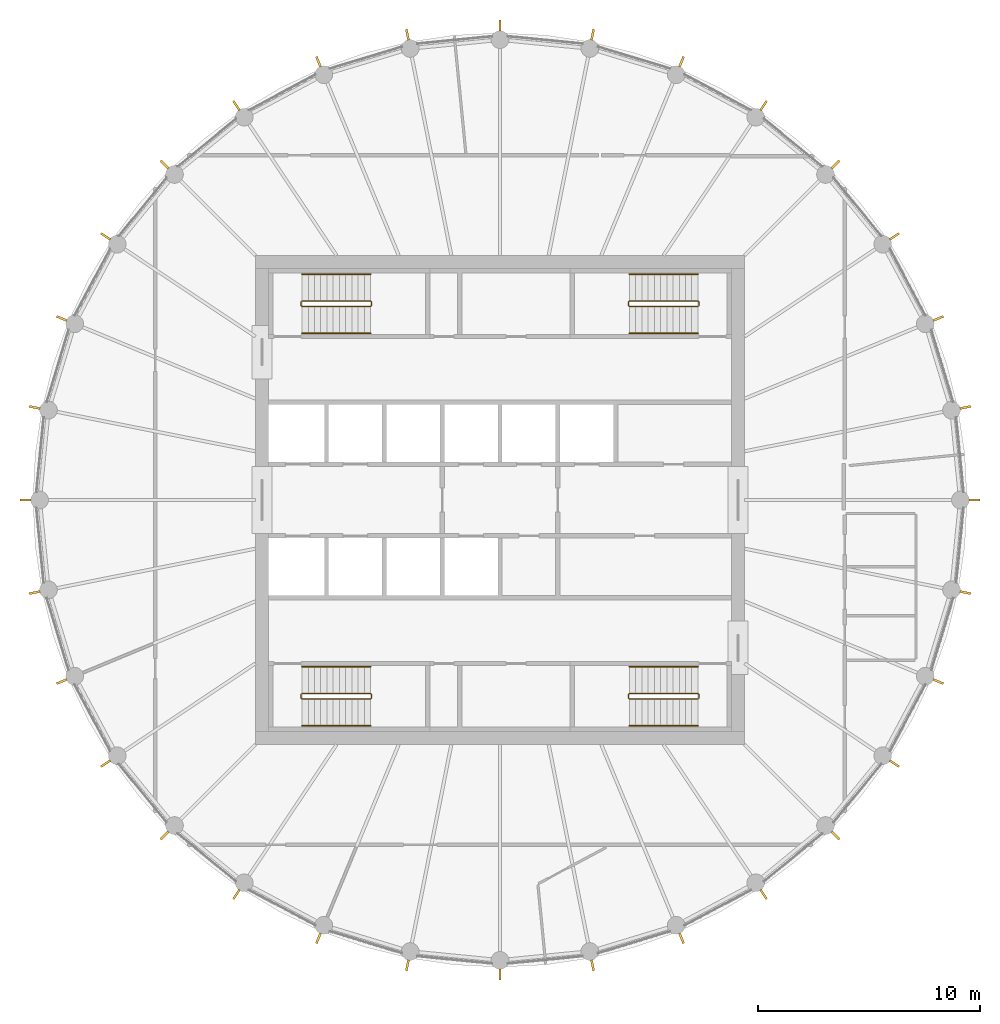
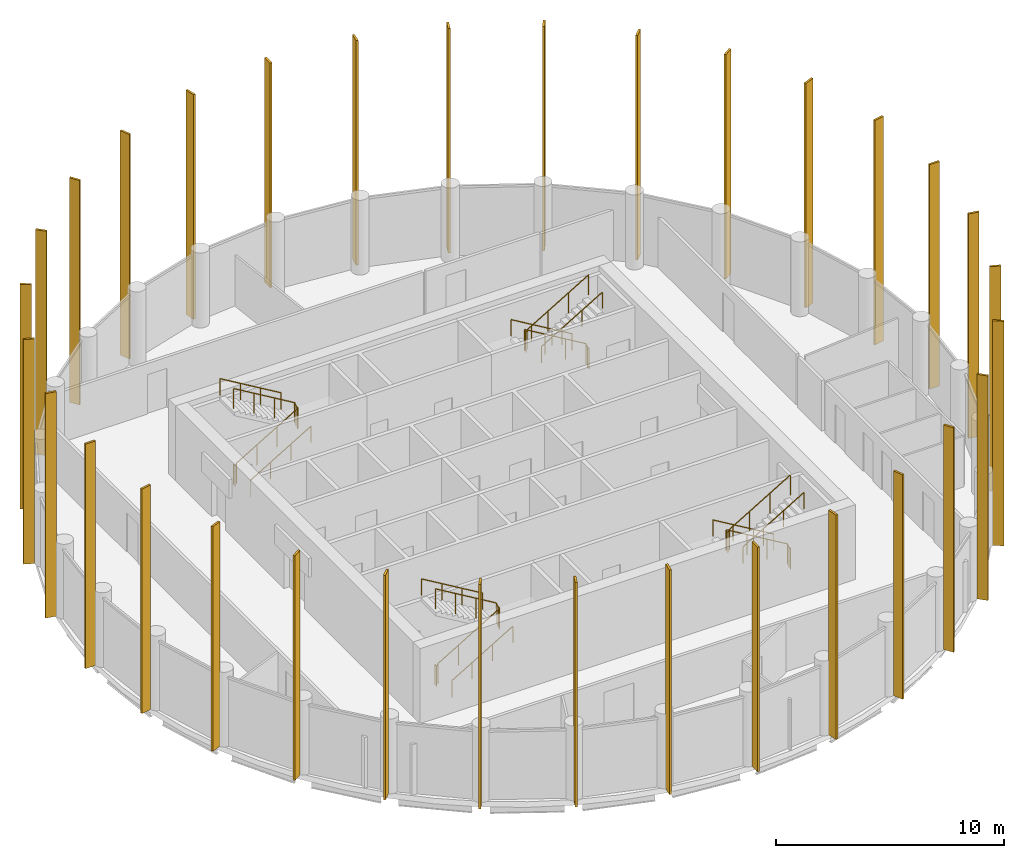
# One storey, part 7 of 7: 32 shading devices, 12 railings.
"""IFC4 building model written with IfcOpenShell, lengths in metres."""

from ifc_helpers import new_model, si_unit, direction, frame, origin, origin_2d, place, context, subcontext, project, spatial, rectangle, circle, extrude, material, material_profile, profile_set, type_object, element, save


model = new_model("IFC4")

# Units and contexts
model_context = context("Model", 3, precision=1e-05, world=origin(), true_north=direction((0.0, 1.0)))
body_context = subcontext(model_context, "Body", "Model", "MODEL_VIEW")
ifc_project = project(units=[si_unit("LENGTHUNIT", "METRE"), si_unit("AREAUNIT", "SQUARE_METRE"), si_unit("VOLUMEUNIT", "CUBIC_METRE"), si_unit("PLANEANGLEUNIT", "RADIAN"), si_unit("MASSUNIT", "GRAM", prefix="KILO")], contexts=[model_context])

# Site, building, storey
site_placement = place(None, origin())
site = spatial("IfcSite", under=ifc_project, at=site_placement, CompositionType="ELEMENT")
building_placement = place(site_placement, origin())
building = spatial("IfcBuilding", under=site, at=building_placement, Name="Corvane Civic Tower", CompositionType="ELEMENT")
storey_placement = place(building_placement, frame((0.0, 0.0, 356.5)))
storey = spatial("IfcBuildingStorey", under=building, at=storey_placement, Name="L85", CompositionType="ELEMENT", Elevation=356.5)

# Railings
ifc_material_1 = material(Name="Steel ASTM A572 Gr 50", Category="steel")
railing_type_1 = type_object("IfcRailingType", Name="ST-GUARD-1100", PredefinedType="GUARDRAIL", material=ifc_material_1)
railing_1_placement = place(storey_placement, frame((8.949951171875, 8.75, 0.0)))
element("IfcRailing", 1, at=railing_1_placement, inside=storey, type_object=railing_type_1, Name="L85 ST1 stair guard 1", PredefinedType="GUARDRAIL", context=body_context, shape_type="SweptSolid", body=[
    extrude(circle(Radius=0.02392578125, at=origin_2d()), frame((0.0, 0.0, 1.076171875), z_axis=(0.0, 1.0, 0.0), x_axis=(-1.0, 0.0, 0.0)), (0.0, 0.0, 1.0), 0.14990234375),
    extrude(circle(Radius=0.02392578125, at=origin_2d()), frame((0.0, 0.14990234375, 1.076171875), z_axis=(-0.27628659633, 0.27628659633, 0.920506074601), x_axis=(-0.707106781187, -0.707106781187, 0.0)), (0.0, 0.0, 1.0), 0.18115234375),
    extrude(circle(Radius=0.02392578125, at=origin_2d()), frame((-0.050048828125, 0.199951171875, 1.24267578125), z_axis=(-0.859290745958, 0.0, 0.51148745235), x_axis=(0.0, -1.0, 0.0)), (0.0, 0.0, 1.0), 3.584228515625),
    extrude(circle(Radius=0.02392578125, at=origin_2d()), frame((-3.1298828125, 0.199951171875, 3.076171875), z_axis=(-0.707106781187, -0.707106781187, 0.0), x_axis=(0.707106781187, -0.707106781187, 0.0)), (0.0, 0.0, 1.0), 0.07080078125),
    extrude(circle(Radius=0.02392578125, at=origin_2d()), frame((-3.179931640625, 0.14990234375, 3.076171875), z_axis=(0.0, -1.0, 0.0), x_axis=(1.0, 0.0, 0.0)), (0.0, 0.0, 1.0), 0.14990234375),
    extrude(circle(Radius=0.02392578125, at=origin_2d()), frame((-3.179931640625, 0.0, 3.076171875), z_axis=(0.27628659633, -0.27628659633, 0.920506074601), x_axis=(0.707106781187, 0.707106781187, 0.0)), (0.0, 0.0, 1.0), 0.18115234375),
    extrude(circle(Radius=0.02392578125, at=origin_2d()), frame((-3.1298828125, -0.050048828125, 3.24267578125), z_axis=(0.859290745958, 0.0, 0.51148745235), x_axis=(0.0, 1.0, 0.0)), (0.0, 0.0, 1.0), 3.584228515625),
    extrude(circle(Radius=0.02099609375, at=origin_2d()), origin(), (0.0, 0.0, 1.0), 1.052001953125),
    extrude(circle(Radius=0.02099609375, at=origin_2d()), frame((0.0, 0.14990234375, 0.0)), (0.0, 0.0, 1.0), 1.052001953125),
    extrude(circle(Radius=0.02099609375, at=origin_2d()), frame((-0.050048828125, 0.199951171875, 0.166748046875)), (0.0, 0.0, 1.0), 1.052001953125),
    extrude(circle(Radius=0.02099609375, at=origin_2d()), frame((-1.07666015625, 0.199951171875, 0.77783203125)), (0.0, 0.0, 1.0), 1.052001953125),
    extrude(circle(Radius=0.02099609375, at=origin_2d()), frame((-2.103271484375, 0.199951171875, 1.388916015625)), (0.0, 0.0, 1.0), 1.052001953125),
    extrude(circle(Radius=0.02099609375, at=origin_2d()), frame((-3.1298828125, 0.199951171875, 2.0)), (0.0, 0.0, 1.0), 1.052001953125),
    extrude(circle(Radius=0.02099609375, at=origin_2d()), frame((-3.179931640625, 0.14990234375, 2.0)), (0.0, 0.0, 1.0), 1.052001953125),
    extrude(circle(Radius=0.02099609375, at=origin_2d()), frame((-3.179931640625, 0.0, 2.0)), (0.0, 0.0, 1.0), 1.052001953125),
    extrude(circle(Radius=0.02099609375, at=origin_2d()), frame((-3.1298828125, -0.050048828125, 2.166748046875)), (0.0, 0.0, 1.0), 1.052001953125),
    extrude(circle(Radius=0.02099609375, at=origin_2d()), frame((-2.103271484375, -0.050048828125, 2.77783203125)), (0.0, 0.0, 1.0), 1.052001953125),
    extrude(circle(Radius=0.02099609375, at=origin_2d()), frame((-1.07666015625, -0.050048828125, 3.388916015625)), (0.0, 0.0, 1.0), 1.052001953125),
    extrude(circle(Radius=0.02099609375, at=origin_2d()), frame((-0.050048828125, -0.050048828125, 4.0)), (0.0, 0.0, 1.0), 1.052001953125),
])
railing_2_placement = place(storey_placement, frame((8.949951171875, -8.89990234375, 0.0)))
element("IfcRailing", 2, at=railing_2_placement, inside=storey, type_object=railing_type_1, Name="L85 ST2 stair guard 1", PredefinedType="GUARDRAIL", context=body_context, shape_type="SweptSolid", body=[
    extrude(circle(Radius=0.02392578125, at=origin_2d()), frame((0.0, 0.0, 1.076171875), z_axis=(0.0, 1.0, 0.0), x_axis=(-1.0, 0.0, 0.0)), (0.0, 0.0, 1.0), 0.14990234375),
    extrude(circle(Radius=0.02392578125, at=origin_2d()), frame((0.0, 0.14990234375, 1.076171875), z_axis=(-0.27628659633, 0.27628659633, 0.920506074601), x_axis=(-0.707106781187, -0.707106781187, 0.0)), (0.0, 0.0, 1.0), 0.18115234375),
    extrude(circle(Radius=0.02392578125, at=origin_2d()), frame((-0.050048828125, 0.199951171875, 1.24267578125), z_axis=(-0.859290745958, 0.0, 0.51148745235), x_axis=(0.0, -1.0, 0.0)), (0.0, 0.0, 1.0), 3.584228515625),
    extrude(circle(Radius=0.02392578125, at=origin_2d()), frame((-3.1298828125, 0.199951171875, 3.076171875), z_axis=(-0.707106781187, -0.707106781187, 0.0), x_axis=(0.707106781187, -0.707106781187, 0.0)), (0.0, 0.0, 1.0), 0.07080078125),
    extrude(circle(Radius=0.02392578125, at=origin_2d()), frame((-3.179931640625, 0.14990234375, 3.076171875), z_axis=(0.0, -1.0, 0.0), x_axis=(1.0, 0.0, 0.0)), (0.0, 0.0, 1.0), 0.14990234375),
    extrude(circle(Radius=0.02392578125, at=origin_2d()), frame((-3.179931640625, 0.0, 3.076171875), z_axis=(0.27628659633, -0.27628659633, 0.920506074601), x_axis=(0.707106781187, 0.707106781187, 0.0)), (0.0, 0.0, 1.0), 0.18115234375),
    extrude(circle(Radius=0.02392578125, at=origin_2d()), frame((-3.1298828125, -0.050048828125, 3.24267578125), z_axis=(0.859290745958, 0.0, 0.51148745235), x_axis=(0.0, 1.0, 0.0)), (0.0, 0.0, 1.0), 3.584228515625),
    extrude(circle(Radius=0.02099609375, at=origin_2d()), origin(), (0.0, 0.0, 1.0), 1.052001953125),
    extrude(circle(Radius=0.02099609375, at=origin_2d()), frame((0.0, 0.14990234375, 0.0)), (0.0, 0.0, 1.0), 1.052001953125),
    extrude(circle(Radius=0.02099609375, at=origin_2d()), frame((-0.050048828125, 0.199951171875, 0.166748046875)), (0.0, 0.0, 1.0), 1.052001953125),
    extrude(circle(Radius=0.02099609375, at=origin_2d()), frame((-1.07666015625, 0.199951171875, 0.77783203125)), (0.0, 0.0, 1.0), 1.052001953125),
    extrude(circle(Radius=0.02099609375, at=origin_2d()), frame((-2.103271484375, 0.199951171875, 1.388916015625)), (0.0, 0.0, 1.0), 1.052001953125),
    extrude(circle(Radius=0.02099609375, at=origin_2d()), frame((-3.1298828125, 0.199951171875, 2.0)), (0.0, 0.0, 1.0), 1.052001953125),
    extrude(circle(Radius=0.02099609375, at=origin_2d()), frame((-3.179931640625, 0.14990234375, 2.0)), (0.0, 0.0, 1.0), 1.052001953125),
    extrude(circle(Radius=0.02099609375, at=origin_2d()), frame((-3.179931640625, 0.0, 2.0)), (0.0, 0.0, 1.0), 1.052001953125),
    extrude(circle(Radius=0.02099609375, at=origin_2d()), frame((-3.1298828125, -0.050048828125, 2.166748046875)), (0.0, 0.0, 1.0), 1.052001953125),
    extrude(circle(Radius=0.02099609375, at=origin_2d()), frame((-2.103271484375, -0.050048828125, 2.77783203125)), (0.0, 0.0, 1.0), 1.052001953125),
    extrude(circle(Radius=0.02099609375, at=origin_2d()), frame((-1.07666015625, -0.050048828125, 3.388916015625)), (0.0, 0.0, 1.0), 1.052001953125),
    extrude(circle(Radius=0.02099609375, at=origin_2d()), frame((-0.050048828125, -0.050048828125, 4.0)), (0.0, 0.0, 1.0), 1.052001953125),
])
railing_3_placement = place(storey_placement, frame((-8.949951171875, -8.75, 0.0)))
element("IfcRailing", 3, at=railing_3_placement, inside=storey, type_object=railing_type_1, Name="L85 ST3 stair guard 1", PredefinedType="GUARDRAIL", context=body_context, shape_type="SweptSolid", body=[
    extrude(circle(Radius=0.02392578125, at=origin_2d()), frame((0.0, 0.0, 1.076171875), z_axis=(0.0, -1.0, 0.0), x_axis=(1.0, 0.0, 0.0)), (0.0, 0.0, 1.0), 0.14990234375),
    extrude(circle(Radius=0.02392578125, at=origin_2d()), frame((0.0, -0.14990234375, 1.076171875), z_axis=(0.27628659633, -0.27628659633, 0.920506074601), x_axis=(0.707106781187, 0.707106781187, 0.0)), (0.0, 0.0, 1.0), 0.18115234375),
    extrude(circle(Radius=0.02392578125, at=origin_2d()), frame((0.050048828125, -0.199951171875, 1.24267578125), z_axis=(0.859290745958, 0.0, 0.51148745235), x_axis=(0.0, 1.0, 0.0)), (0.0, 0.0, 1.0), 3.584228515625),
    extrude(circle(Radius=0.02392578125, at=origin_2d()), frame((3.1298828125, -0.199951171875, 3.076171875), z_axis=(0.707106781187, 0.707106781187, 0.0), x_axis=(-0.707106781187, 0.707106781187, 0.0)), (0.0, 0.0, 1.0), 0.07080078125),
    extrude(circle(Radius=0.02392578125, at=origin_2d()), frame((3.179931640625, -0.14990234375, 3.076171875), z_axis=(0.0, 1.0, 0.0), x_axis=(-1.0, 0.0, 0.0)), (0.0, 0.0, 1.0), 0.14990234375),
    extrude(circle(Radius=0.02392578125, at=origin_2d()), frame((3.179931640625, 0.0, 3.076171875), z_axis=(-0.27628659633, 0.27628659633, 0.920506074601), x_axis=(-0.707106781187, -0.707106781187, 0.0)), (0.0, 0.0, 1.0), 0.18115234375),
    extrude(circle(Radius=0.02392578125, at=origin_2d()), frame((3.1298828125, 0.050048828125, 3.24267578125), z_axis=(-0.859290745958, 0.0, 0.51148745235), x_axis=(0.0, -1.0, 0.0)), (0.0, 0.0, 1.0), 3.584228515625),
    extrude(circle(Radius=0.02099609375, at=origin_2d()), origin(), (0.0, 0.0, 1.0), 1.052001953125),
    extrude(circle(Radius=0.02099609375, at=origin_2d()), frame((0.0, -0.14990234375, 0.0)), (0.0, 0.0, 1.0), 1.052001953125),
    extrude(circle(Radius=0.02099609375, at=origin_2d()), frame((0.050048828125, -0.199951171875, 0.166748046875)), (0.0, 0.0, 1.0), 1.052001953125),
    extrude(circle(Radius=0.02099609375, at=origin_2d()), frame((1.07666015625, -0.199951171875, 0.77783203125)), (0.0, 0.0, 1.0), 1.052001953125),
    extrude(circle(Radius=0.02099609375, at=origin_2d()), frame((2.103271484375, -0.199951171875, 1.388916015625)), (0.0, 0.0, 1.0), 1.052001953125),
    extrude(circle(Radius=0.02099609375, at=origin_2d()), frame((3.1298828125, -0.199951171875, 2.0)), (0.0, 0.0, 1.0), 1.052001953125),
    extrude(circle(Radius=0.02099609375, at=origin_2d()), frame((3.179931640625, -0.14990234375, 2.0)), (0.0, 0.0, 1.0), 1.052001953125),
    extrude(circle(Radius=0.02099609375, at=origin_2d()), frame((3.179931640625, 0.0, 2.0)), (0.0, 0.0, 1.0), 1.052001953125),
    extrude(circle(Radius=0.02099609375, at=origin_2d()), frame((3.1298828125, 0.050048828125, 2.166748046875)), (0.0, 0.0, 1.0), 1.052001953125),
    extrude(circle(Radius=0.02099609375, at=origin_2d()), frame((2.103271484375, 0.050048828125, 2.77783203125)), (0.0, 0.0, 1.0), 1.052001953125),
    extrude(circle(Radius=0.02099609375, at=origin_2d()), frame((1.07666015625, 0.050048828125, 3.388916015625)), (0.0, 0.0, 1.0), 1.052001953125),
    extrude(circle(Radius=0.02099609375, at=origin_2d()), frame((0.050048828125, 0.050048828125, 4.0)), (0.0, 0.0, 1.0), 1.052001953125),
])
railing_4_placement = place(storey_placement, frame((-8.949951171875, 8.89990234375, 0.0)))
element("IfcRailing", 4, at=railing_4_placement, inside=storey, type_object=railing_type_1, Name="L85 ST4 stair guard 1", PredefinedType="GUARDRAIL", context=body_context, shape_type="SweptSolid", body=[
    extrude(circle(Radius=0.02392578125, at=origin_2d()), frame((0.0, 0.0, 1.076171875), z_axis=(0.0, -1.0, 0.0), x_axis=(1.0, 0.0, 0.0)), (0.0, 0.0, 1.0), 0.14990234375),
    extrude(circle(Radius=0.02392578125, at=origin_2d()), frame((0.0, -0.14990234375, 1.076171875), z_axis=(0.27628659633, -0.27628659633, 0.920506074601), x_axis=(0.707106781187, 0.707106781187, 0.0)), (0.0, 0.0, 1.0), 0.18115234375),
    extrude(circle(Radius=0.02392578125, at=origin_2d()), frame((0.050048828125, -0.199951171875, 1.24267578125), z_axis=(0.859290745958, 0.0, 0.51148745235), x_axis=(0.0, 1.0, 0.0)), (0.0, 0.0, 1.0), 3.584228515625),
    extrude(circle(Radius=0.02392578125, at=origin_2d()), frame((3.1298828125, -0.199951171875, 3.076171875), z_axis=(0.707106781187, 0.707106781187, 0.0), x_axis=(-0.707106781187, 0.707106781187, 0.0)), (0.0, 0.0, 1.0), 0.07080078125),
    extrude(circle(Radius=0.02392578125, at=origin_2d()), frame((3.179931640625, -0.14990234375, 3.076171875), z_axis=(0.0, 1.0, 0.0), x_axis=(-1.0, 0.0, 0.0)), (0.0, 0.0, 1.0), 0.14990234375),
    extrude(circle(Radius=0.02392578125, at=origin_2d()), frame((3.179931640625, 0.0, 3.076171875), z_axis=(-0.27628659633, 0.27628659633, 0.920506074601), x_axis=(-0.707106781187, -0.707106781187, 0.0)), (0.0, 0.0, 1.0), 0.18115234375),
    extrude(circle(Radius=0.02392578125, at=origin_2d()), frame((3.1298828125, 0.050048828125, 3.24267578125), z_axis=(-0.859290745958, 0.0, 0.51148745235), x_axis=(0.0, -1.0, 0.0)), (0.0, 0.0, 1.0), 3.584228515625),
    extrude(circle(Radius=0.02099609375, at=origin_2d()), origin(), (0.0, 0.0, 1.0), 1.052001953125),
    extrude(circle(Radius=0.02099609375, at=origin_2d()), frame((0.0, -0.14990234375, 0.0)), (0.0, 0.0, 1.0), 1.052001953125),
    extrude(circle(Radius=0.02099609375, at=origin_2d()), frame((0.050048828125, -0.199951171875, 0.166748046875)), (0.0, 0.0, 1.0), 1.052001953125),
    extrude(circle(Radius=0.02099609375, at=origin_2d()), frame((1.07666015625, -0.199951171875, 0.77783203125)), (0.0, 0.0, 1.0), 1.052001953125),
    extrude(circle(Radius=0.02099609375, at=origin_2d()), frame((2.103271484375, -0.199951171875, 1.388916015625)), (0.0, 0.0, 1.0), 1.052001953125),
    extrude(circle(Radius=0.02099609375, at=origin_2d()), frame((3.1298828125, -0.199951171875, 2.0)), (0.0, 0.0, 1.0), 1.052001953125),
    extrude(circle(Radius=0.02099609375, at=origin_2d()), frame((3.179931640625, -0.14990234375, 2.0)), (0.0, 0.0, 1.0), 1.052001953125),
    extrude(circle(Radius=0.02099609375, at=origin_2d()), frame((3.179931640625, 0.0, 2.0)), (0.0, 0.0, 1.0), 1.052001953125),
    extrude(circle(Radius=0.02099609375, at=origin_2d()), frame((3.1298828125, 0.050048828125, 2.166748046875)), (0.0, 0.0, 1.0), 1.052001953125),
    extrude(circle(Radius=0.02099609375, at=origin_2d()), frame((2.103271484375, 0.050048828125, 2.77783203125)), (0.0, 0.0, 1.0), 1.052001953125),
    extrude(circle(Radius=0.02099609375, at=origin_2d()), frame((1.07666015625, 0.050048828125, 3.388916015625)), (0.0, 0.0, 1.0), 1.052001953125),
    extrude(circle(Radius=0.02099609375, at=origin_2d()), frame((0.050048828125, 0.050048828125, 4.0)), (0.0, 0.0, 1.0), 1.052001953125),
])
ifc_material_2 = material(Name="Steel ASTM A572 Gr 50", Category="steel")
railing_type_2 = type_object("IfcRailingType", Name="ST-HANDRAIL-900", PredefinedType="HANDRAIL", material=ifc_material_2)
railing_5_placement = place(storey_placement, frame((8.89990234375, 10.14990234375, 0.166748046875)))
element("IfcRailing", 5, at=railing_5_placement, inside=storey, type_object=railing_type_2, Name="L85 ST1 stair handrail 1", PredefinedType="HANDRAIL", context=body_context, shape_type="SweptSolid", body=[
    extrude(circle(Radius=0.02392578125, at=origin_2d()), frame((0.0, 0.0, 0.8759765625), z_axis=(-0.859290745958, 0.0, 0.51148745235), x_axis=(0.0, -1.0, 0.0)), (0.0, 0.0, 1.0), 3.584228515625),
    extrude(circle(Radius=0.02099609375, at=origin_2d()), origin(), (0.0, 0.0, 1.0), 0.851806640625),
    extrude(circle(Radius=0.02099609375, at=origin_2d()), frame((-1.026611328125, 0.0, 0.611083984375)), (0.0, 0.0, 1.0), 0.851806640625),
    extrude(circle(Radius=0.02099609375, at=origin_2d()), frame((-2.05322265625, 0.0, 1.22216796875)), (0.0, 0.0, 1.0), 0.851806640625),
    extrude(circle(Radius=0.02099609375, at=origin_2d()), frame((-3.079833984375, 0.0, 1.833251953125)), (0.0, 0.0, 1.0), 0.851806640625),
])
railing_6_placement = place(storey_placement, frame((5.820068359375, 7.5, 2.166748046875)))
element("IfcRailing", 6, at=railing_6_placement, inside=storey, type_object=railing_type_2, Name="L85 ST1 stair handrail 2", PredefinedType="HANDRAIL", context=body_context, shape_type="SweptSolid", body=[
    extrude(circle(Radius=0.02392578125, at=origin_2d()), frame((0.0, 0.0, 0.8759765625), z_axis=(0.859290745958, 0.0, 0.51148745235), x_axis=(0.0, 1.0, 0.0)), (0.0, 0.0, 1.0), 3.584228515625),
    extrude(circle(Radius=0.02099609375, at=origin_2d()), origin(), (0.0, 0.0, 1.0), 0.851806640625),
    extrude(circle(Radius=0.02099609375, at=origin_2d()), frame((1.026611328125, 0.0, 0.611083984375)), (0.0, 0.0, 1.0), 0.851806640625),
    extrude(circle(Radius=0.02099609375, at=origin_2d()), frame((2.05322265625, 0.0, 1.22216796875)), (0.0, 0.0, 1.0), 0.851806640625),
    extrude(circle(Radius=0.02099609375, at=origin_2d()), frame((3.079833984375, 0.0, 1.833251953125)), (0.0, 0.0, 1.0), 0.851806640625),
])
railing_7_placement = place(storey_placement, frame((8.89990234375, -7.5, 0.166748046875)))
element("IfcRailing", 7, at=railing_7_placement, inside=storey, type_object=railing_type_2, Name="L85 ST2 stair handrail 1", PredefinedType="HANDRAIL", context=body_context, shape_type="SweptSolid", body=[
    extrude(circle(Radius=0.02392578125, at=origin_2d()), frame((0.0, 0.0, 0.8759765625), z_axis=(-0.859290745958, 0.0, 0.51148745235), x_axis=(0.0, -1.0, 0.0)), (0.0, 0.0, 1.0), 3.584228515625),
    extrude(circle(Radius=0.02099609375, at=origin_2d()), origin(), (0.0, 0.0, 1.0), 0.851806640625),
    extrude(circle(Radius=0.02099609375, at=origin_2d()), frame((-1.026611328125, 0.0, 0.611083984375)), (0.0, 0.0, 1.0), 0.851806640625),
    extrude(circle(Radius=0.02099609375, at=origin_2d()), frame((-2.05322265625, 0.0, 1.22216796875)), (0.0, 0.0, 1.0), 0.851806640625),
    extrude(circle(Radius=0.02099609375, at=origin_2d()), frame((-3.079833984375, 0.0, 1.833251953125)), (0.0, 0.0, 1.0), 0.851806640625),
])
for number, where, name in (
    (8, (5.820068359375, -10.14990234375, 2.166748046875), "L85 ST2 stair handrail 2"),
    (9, (-8.89990234375, -10.14990234375, 0.166748046875), "L85 ST3 stair handrail 1"),
):
    element("IfcRailing", number, at=place(storey_placement, frame(where)), inside=storey, type_object=railing_type_2, Name=name, PredefinedType="HANDRAIL", context=body_context, shape_type="SweptSolid", body=[
        extrude(circle(Radius=0.02392578125, at=origin_2d()), frame((0.0, 0.0, 0.8759765625), z_axis=(0.859290745958, 0.0, 0.51148745235), x_axis=(0.0, 1.0, 0.0)), (0.0, 0.0, 1.0), 3.584228515625),
        extrude(circle(Radius=0.02099609375, at=origin_2d()), origin(), (0.0, 0.0, 1.0), 0.851806640625),
        extrude(circle(Radius=0.02099609375, at=origin_2d()), frame((1.026611328125, 0.0, 0.611083984375)), (0.0, 0.0, 1.0), 0.851806640625),
        extrude(circle(Radius=0.02099609375, at=origin_2d()), frame((2.05322265625, 0.0, 1.22216796875)), (0.0, 0.0, 1.0), 0.851806640625),
        extrude(circle(Radius=0.02099609375, at=origin_2d()), frame((3.079833984375, 0.0, 1.833251953125)), (0.0, 0.0, 1.0), 0.851806640625),
    ])
railing_8_placement = place(storey_placement, frame((-5.820068359375, -7.5, 2.166748046875)))
element("IfcRailing", 10, at=railing_8_placement, inside=storey, type_object=railing_type_2, Name="L85 ST3 stair handrail 2", PredefinedType="HANDRAIL", context=body_context, shape_type="SweptSolid", body=[
    extrude(circle(Radius=0.02392578125, at=origin_2d()), frame((0.0, 0.0, 0.8759765625), z_axis=(-0.859290745958, 0.0, 0.51148745235), x_axis=(0.0, -1.0, 0.0)), (0.0, 0.0, 1.0), 3.584228515625),
    extrude(circle(Radius=0.02099609375, at=origin_2d()), origin(), (0.0, 0.0, 1.0), 0.851806640625),
    extrude(circle(Radius=0.02099609375, at=origin_2d()), frame((-1.026611328125, 0.0, 0.611083984375)), (0.0, 0.0, 1.0), 0.851806640625),
    extrude(circle(Radius=0.02099609375, at=origin_2d()), frame((-2.05322265625, 0.0, 1.22216796875)), (0.0, 0.0, 1.0), 0.851806640625),
    extrude(circle(Radius=0.02099609375, at=origin_2d()), frame((-3.079833984375, 0.0, 1.833251953125)), (0.0, 0.0, 1.0), 0.851806640625),
])
railing_9_placement = place(storey_placement, frame((-8.89990234375, 7.5, 0.166748046875)))
element("IfcRailing", 11, at=railing_9_placement, inside=storey, type_object=railing_type_2, Name="L85 ST4 stair handrail 1", PredefinedType="HANDRAIL", context=body_context, shape_type="SweptSolid", body=[
    extrude(circle(Radius=0.02392578125, at=origin_2d()), frame((0.0, 0.0, 0.8759765625), z_axis=(0.859290745958, 0.0, 0.51148745235), x_axis=(0.0, 1.0, 0.0)), (0.0, 0.0, 1.0), 3.584228515625),
    extrude(circle(Radius=0.02099609375, at=origin_2d()), origin(), (0.0, 0.0, 1.0), 0.851806640625),
    extrude(circle(Radius=0.02099609375, at=origin_2d()), frame((1.026611328125, 0.0, 0.611083984375)), (0.0, 0.0, 1.0), 0.851806640625),
    extrude(circle(Radius=0.02099609375, at=origin_2d()), frame((2.05322265625, 0.0, 1.22216796875)), (0.0, 0.0, 1.0), 0.851806640625),
    extrude(circle(Radius=0.02099609375, at=origin_2d()), frame((3.079833984375, 0.0, 1.833251953125)), (0.0, 0.0, 1.0), 0.851806640625),
])
railing_10_placement = place(storey_placement, frame((-5.820068359375, 10.14990234375, 2.166748046875)))
element("IfcRailing", 12, at=railing_10_placement, inside=storey, type_object=railing_type_2, Name="L85 ST4 stair handrail 2", PredefinedType="HANDRAIL", context=body_context, shape_type="SweptSolid", body=[
    extrude(circle(Radius=0.02392578125, at=origin_2d()), frame((0.0, 0.0, 0.8759765625), z_axis=(-0.859290745958, 0.0, 0.51148745235), x_axis=(0.0, -1.0, 0.0)), (0.0, 0.0, 1.0), 3.584228515625),
    extrude(circle(Radius=0.02099609375, at=origin_2d()), origin(), (0.0, 0.0, 1.0), 0.851806640625),
    extrude(circle(Radius=0.02099609375, at=origin_2d()), frame((-1.026611328125, 0.0, 0.611083984375)), (0.0, 0.0, 1.0), 0.851806640625),
    extrude(circle(Radius=0.02099609375, at=origin_2d()), frame((-2.05322265625, 0.0, 1.22216796875)), (0.0, 0.0, 1.0), 0.851806640625),
    extrude(circle(Radius=0.02099609375, at=origin_2d()), frame((-3.079833984375, 0.0, 1.833251953125)), (0.0, 0.0, 1.0), 0.851806640625),
])

# Shading devices
ifc_material_3 = material(Name="Anodised aluminium bronze", Category="aluminium")
ifc_material_profile = material_profile(ifc_material_3, rectangle(XDim=0.10009765625, YDim=0.5, at=origin_2d()), Name="TOWER FIN STACK 100x500 BRONZE")
ifc_profile_set = profile_set([ifc_material_profile], Name="Anodised aluminium bronze")
shading_device_type = type_object("IfcShadingDeviceType", Name="TOWER FIN STACK 100x500 BRONZE", PredefinedType="USERDEFINED", material=ifc_profile_set)
for number, where, z_axis, x_axis, name in (
    (13, (0.0, 21.330078125, 0.0), (0.0, 0.0, 1.0), (1.0, 0.0, 0.0), "Fin 01 L85 to L87"),
    (14, (4.161376953125, 20.920166015625, 0.0), (0.0, 0.0, 1.0), (0.980785280403, -0.195090322016, 0.0), "Fin 02 L85 to L87"),
    (15, (8.16259765625, 19.706298828125, 0.0), (0.0, 0.0, 1.0), (0.923879532511, -0.382683432365, 0.0), "Fin 03 L85 to L87"),
    (16, (11.850341796875, 17.7353515625, 0.0), (0.0, 0.0, 1.0), (0.831469612303, -0.55557023302, 0.0), "Fin 04 L85 to L87"),
    (17, (15.08251953125, 15.08251953125, 0.0), (0.0, 0.0, 1.0), (0.707106781187, -0.707106781187, 0.0), "Fin 05 L85 to L87"),
    (18, (17.7353515625, 11.850341796875, 0.0), (0.0, 0.0, 1.0), (0.55557023302, -0.831469612303, 0.0), "Fin 06 L85 to L87"),
    (19, (19.706298828125, 8.16259765625, 0.0), (0.0, 0.0, 1.0), (0.382683432365, -0.923879532511, 0.0), "Fin 07 L85 to L87"),
    (20, (20.920166015625, 4.161376953125, 0.0), (0.0, 0.0, 1.0), (0.195090322016, -0.980785280403, 0.0), "Fin 08 L85 to L87"),
    (21, (21.330078125, 0.0, 0.0), (0.0, 0.0, 1.0), (0.0, -1.0, 0.0), "Fin 09 L85 to L87"),
    (22, (20.920166015625, -4.161376953125, 0.0), (0.0, 0.0, 1.0), (-0.195090322016, -0.980785280403, 0.0), "Fin 10 L85 to L87"),
    (23, (19.706298828125, -8.16259765625, 0.0), (0.0, 0.0, 1.0), (-0.382683432365, -0.923879532511, 0.0), "Fin 11 L85 to L87"),
    (24, (17.7353515625, -11.850341796875, 0.0), (0.0, 0.0, 1.0), (-0.55557023302, -0.831469612303, 0.0), "Fin 12 L85 to L87"),
    (25, (15.08251953125, -15.08251953125, 0.0), (0.0, 0.0, 1.0), (-0.707106781187, -0.707106781187, 0.0), "Fin 13 L85 to L87"),
    (26, (11.850341796875, -17.7353515625, 0.0), (0.0, 0.0, 1.0), (-0.831469612303, -0.55557023302, 0.0), "Fin 14 L85 to L87"),
    (27, (8.16259765625, -19.706298828125, 0.0), (0.0, 0.0, 1.0), (-0.923879532511, -0.382683432365, 0.0), "Fin 15 L85 to L87"),
    (28, (4.161376953125, -20.920166015625, 0.0), (0.0, 0.0, 1.0), (-0.980785280403, -0.195090322016, 0.0), "Fin 16 L85 to L87"),
    (29, (0.0, -21.330078125, 0.0), (0.0, 0.0, 1.0), (-1.0, 0.0, 0.0), "Fin 17 L85 to L87"),
    (30, (-4.161376953125, -20.920166015625, 0.0), (0.0, 0.0, 1.0), (-0.980785280403, 0.195090322016, 0.0), "Fin 18 L85 to L87"),
    (31, (-8.16259765625, -19.706298828125, 0.0), (0.0, 0.0, 1.0), (-0.923879532511, 0.382683432365, 0.0), "Fin 19 L85 to L87"),
    (32, (-11.850341796875, -17.7353515625, 0.0), (0.0, 0.0, 1.0), (-0.831469612303, 0.55557023302, 0.0), "Fin 20 L85 to L87"),
    (33, (-15.08251953125, -15.08251953125, 0.0), (0.0, 0.0, 1.0), (-0.707106781187, 0.707106781187, 0.0), "Fin 21 L85 to L87"),
    (34, (-17.7353515625, -11.850341796875, 0.0), (0.0, 0.0, 1.0), (-0.55557023302, 0.831469612303, 0.0), "Fin 22 L85 to L87"),
    (35, (-19.706298828125, -8.16259765625, 0.0), (0.0, 0.0, 1.0), (-0.382683432365, 0.923879532511, 0.0), "Fin 23 L85 to L87"),
    (36, (-20.920166015625, -4.161376953125, 0.0), (0.0, 0.0, 1.0), (-0.195090322016, 0.980785280403, 0.0), "Fin 24 L85 to L87"),
    (37, (-21.330078125, 0.0, 0.0), (0.0, 0.0, 1.0), (0.0, 1.0, 0.0), "Fin 25 L85 to L87"),
    (38, (-20.920166015625, 4.161376953125, 0.0), (0.0, 0.0, 1.0), (0.195090322016, 0.980785280403, 0.0), "Fin 26 L85 to L87"),
    (39, (-19.706298828125, 8.16259765625, 0.0), (0.0, 0.0, 1.0), (0.382683432365, 0.923879532511, 0.0), "Fin 27 L85 to L87"),
    (40, (-17.7353515625, 11.850341796875, 0.0), (0.0, 0.0, 1.0), (0.55557023302, 0.831469612303, 0.0), "Fin 28 L85 to L87"),
    (41, (-15.08251953125, 15.08251953125, 0.0), (0.0, 0.0, 1.0), (0.707106781187, 0.707106781187, 0.0), "Fin 29 L85 to L87"),
    (42, (-11.850341796875, 17.7353515625, 0.0), (0.0, 0.0, 1.0), (0.831469612303, 0.55557023302, 0.0), "Fin 30 L85 to L87"),
    (43, (-8.16259765625, 19.706298828125, 0.0), (0.0, 0.0, 1.0), (0.923879532511, 0.382683432365, 0.0), "Fin 31 L85 to L87"),
    (44, (-4.161376953125, 20.920166015625, 0.0), (0.0, 0.0, 1.0), (0.980785280403, 0.195090322016, 0.0), "Fin 32 L85 to L87"),
):
    element("IfcShadingDevice", number, at=place(storey_placement, frame(where, z_axis=z_axis, x_axis=x_axis)), inside=storey, type_object=shading_device_type, Name=name, ObjectType="FIN", PredefinedType="USERDEFINED", context=body_context, shape_type="SweptSolid", body=[
        extrude(rectangle(XDim=0.10009765625, YDim=0.5, at=origin_2d()), origin(), (0.0, 0.0, 1.0), 12.0),
    ])

save(model, "model.ifc")
